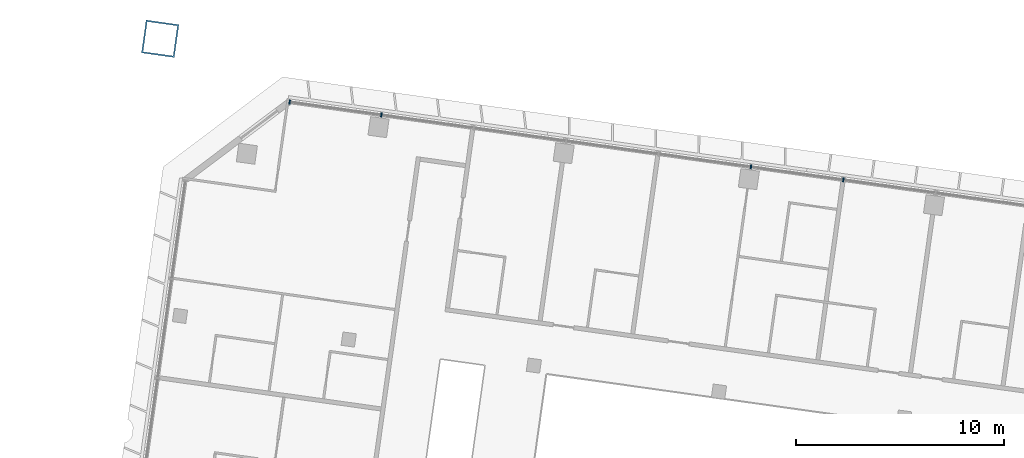
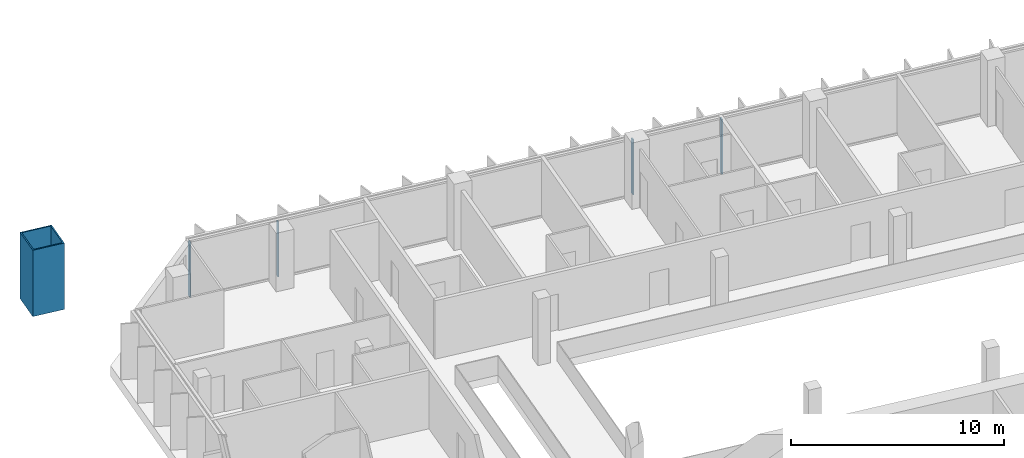
# One storey, part 3 of 26: 5 members, 1 element without a shape of its own.
"""IFC4 building model written with IfcOpenShell, lengths in metres."""

from ifc_helpers import new_model, si_unit, direction, frame, origin, origin_2d, place, context, subcontext, project, spatial, rectangle, hollow_rectangle, extrude, material, material_profile, profile_set, type_object, element, aggregate, save


model = new_model("IFC4")

# Units and contexts
model_context = context("Model", 3, precision=1e-05, world=origin(), true_north=direction((0.0, 1.0)))
body_context = subcontext(model_context, "Body", "Model", "MODEL_VIEW")
ifc_project = project(units=[si_unit("LENGTHUNIT", "METRE"), si_unit("AREAUNIT", "SQUARE_METRE"), si_unit("VOLUMEUNIT", "CUBIC_METRE"), si_unit("PLANEANGLEUNIT", "RADIAN"), si_unit("MASSUNIT", "GRAM", prefix="KILO")], contexts=[model_context])

# Site, building, storey
site_placement = place(None, origin())
site = spatial("IfcSite", under=ifc_project, at=site_placement, CompositionType="ELEMENT")
building_placement = place(site_placement, origin())
building = spatial("IfcBuilding", under=site, at=building_placement, Name="Mirante Cascada Hotel Towers", CompositionType="ELEMENT")
storey_placement = place(building_placement, frame((0.0, 0.0, 144.3)))
storey = spatial("IfcBuildingStorey", under=building, at=storey_placement, Name="L33", CompositionType="ELEMENT", Elevation=144.3)

# Member
ifc_material_1 = material(Name="Steel ASTM A572 Gr 50", Category="steel")
ifc_material_profile_1 = material_profile(ifc_material_1, hollow_rectangle(XDim=1.6, YDim=1.6, WallThickness=0.07, at=origin_2d()), Name="Box post 1600x1600x70 ASTM A572 Gr 50")
ifc_profile_set_1 = profile_set([ifc_material_profile_1], Name="Steel ASTM A572 Gr 50")
member_type_1 = type_object("IfcMemberType", Name="Box post 1600x1600x70 ASTM A572 Gr 50", PredefinedType="POST", material=ifc_profile_set_1)
member_1_placement = place(storey_placement, frame((-100.3572, 29.0944, 0.0), z_axis=(0.0, 0.0, 1.0), x_axis=(-0.9902681, 0.1391731, 0.0)))
element("IfcMember", 1, at=member_1_placement, inside=storey, type_object=member_type_1, Name="Mega column MP3 T1 L33", PredefinedType="POST", context=body_context, shape_type="SweptSolid", body=[
    extrude(hollow_rectangle(XDim=1.6, YDim=1.6, WallThickness=0.07, at=origin_2d()), origin(), (0.0, 0.0, 1.0), 3.8),
])

# Curtain wall, members
ifc_material_2 = material(Name="Aluminium mullion and transom frame with clear laminated glass", Category="aluminium")
curtain_wall_type = type_object("IfcCurtainWallType", Name="Ribbon curtain wall ECW1", PredefinedType="NOTDEFINED", material=ifc_material_2)
curtain_wall_placement = place(storey_placement, origin())
curtain_wall = element("IfcCurtainWall", 2, at=curtain_wall_placement, inside=storey, type_object=curtain_wall_type, Name="Front ribbon wall T1 L33", PredefinedType="NOTDEFINED")
ifc_material_3 = material(Name="Anodised aluminium extrusion", Category="aluminium")
ifc_material_profile_2 = material_profile(ifc_material_3, rectangle(XDim=0.2, YDim=0.065, at=origin_2d()), Name="ECW1 MULLION 65x200")
ifc_profile_set_2 = profile_set([ifc_material_profile_2], Name="Anodised aluminium extrusion")
member_type_2 = type_object("IfcMemberType", Name="ECW1 mullion 65x200", PredefinedType="MULLION", material=ifc_profile_set_2)
member_2_placement = place(storey_placement, frame((-94.126, 26.0476, 0.1), z_axis=(0.0, 0.0, 1.0), x_axis=(0.1391731, 0.9902681, 0.0)))
member_2 = element("IfcMember", 3, at=member_2_placement, type_object=member_type_2, Name="ECW1 mullion 1", PredefinedType="MULLION", context=body_context, shape_type="SweptSolid", body=[
    extrude(rectangle(XDim=0.2, YDim=0.065, at=origin_2d()), origin(), (0.0, 0.0, 1.0), 3.15),
])
member_3_placement = place(storey_placement, frame((-89.7107, 25.427, 0.1), z_axis=(0.0, 0.0, 1.0), x_axis=(0.1391731, 0.9902681, 0.0)))
member_3 = element("IfcMember", 4, at=member_3_placement, type_object=member_type_2, Name="ECW1 mullion 2", PredefinedType="MULLION", context=body_context, shape_type="SweptSolid", body=[
    extrude(rectangle(XDim=0.2, YDim=0.065, at=origin_2d()), origin(), (0.0, 0.0, 1.0), 3.15),
])
member_4_placement = place(storey_placement, frame((-71.9211, 22.9269, 0.1), z_axis=(0.0, 0.0, 1.0), x_axis=(0.1391731, 0.9902681, 0.0)))
member_4 = element("IfcMember", 5, at=member_4_placement, type_object=member_type_2, Name="ECW1 mullion 6", PredefinedType="MULLION", context=body_context, shape_type="SweptSolid", body=[
    extrude(rectangle(XDim=0.2, YDim=0.065, at=origin_2d()), origin(), (0.0, 0.0, 1.0), 3.15),
])
member_5_placement = place(storey_placement, frame((-67.4737, 22.3018, 0.1), z_axis=(0.0, 0.0, 1.0), x_axis=(0.1391731, 0.9902681, 0.0)))
member_5 = element("IfcMember", 6, at=member_5_placement, type_object=member_type_2, Name="ECW1 mullion 7", PredefinedType="MULLION", context=body_context, shape_type="SweptSolid", body=[
    extrude(rectangle(XDim=0.2, YDim=0.065, at=origin_2d()), origin(), (0.0, 0.0, 1.0), 3.15),
])
aggregate(curtain_wall, [member_2, member_3, member_4, member_5])

save(model, "model.ifc")
